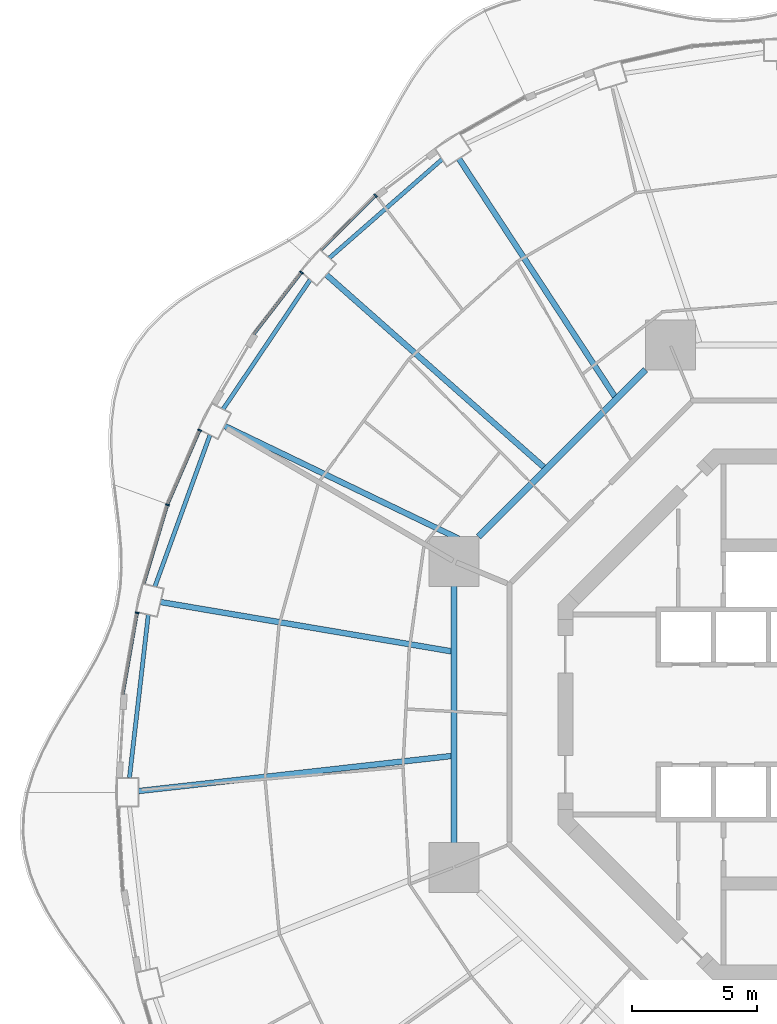
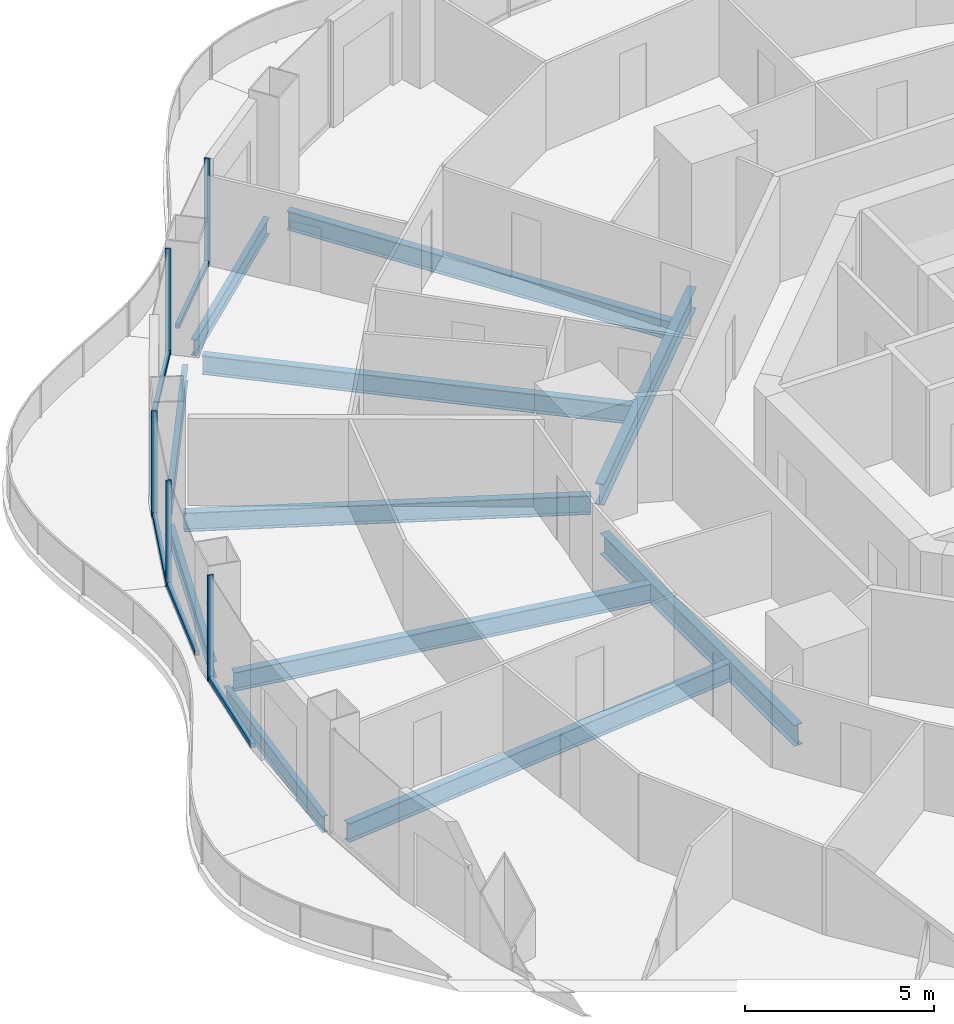
# One storey, part 6 of 20: 11 beams, 10 members, 5 elements without a shape of their own.
"""IFC4 building model written with IfcOpenShell, lengths in metres."""

from ifc_helpers import new_model, si_unit, direction, frame, origin, origin_2d, place, context, subcontext, project, spatial, rectangle, i_section, extrude, material, layer, layer_set, material_profile, profile_set, type_object, element, aggregate, save


model = new_model("IFC4")

# Units and contexts
model_context = context("Model", 3, precision=1e-05, world=origin(), true_north=direction((0.0, 1.0)))
body_context = subcontext(model_context, "Body", "Model", "MODEL_VIEW")
ifc_project = project(units=[si_unit("LENGTHUNIT", "METRE"), si_unit("AREAUNIT", "SQUARE_METRE"), si_unit("VOLUMEUNIT", "CUBIC_METRE"), si_unit("PLANEANGLEUNIT", "RADIAN"), si_unit("MASSUNIT", "GRAM", prefix="KILO")], contexts=[model_context])

# Site, building, storey
site_placement = place(None, origin())
site = spatial("IfcSite", under=ifc_project, at=site_placement, CompositionType="ELEMENT")
building_placement = place(site_placement, origin())
building = spatial("IfcBuilding", under=site, at=building_placement, Name="Nagisa Residences", CompositionType="ELEMENT")
storey_placement = place(building_placement, frame((0.0, 0.0, 123.300048828125)))
storey = spatial("IfcBuildingStorey", under=building, at=storey_placement, Name="L30", CompositionType="ELEMENT", Elevation=123.300048828125)

# Curtain wall, member
ifc_material_1 = material(Name="Concrete-coloured aluminium curtain wall system", Category="concrete")
ifc_layer = layer(ifc_material_1, 0.159912109375)
ifc_layer_set = layer_set([ifc_layer], Name="CW1 CURTAIN WALL")
curtain_wall_type = type_object("IfcCurtainWallType", Name="CW1 CURTAIN WALL", PredefinedType="NOTDEFINED", material=ifc_layer_set)
curtain_wall_1_placement = place(storey_placement, origin())
curtain_wall_1 = element("IfcCurtainWall", 1, at=curtain_wall_1_placement, inside=storey, type_object=curtain_wall_type, Name="cw:CW1:L30:17", PredefinedType="NOTDEFINED")
ifc_material_2 = material(Name="Concrete-coloured aluminium", Category="concrete")
ifc_material_profile_1 = material_profile(ifc_material_2, rectangle(XDim=0.159912109375, YDim=0.06005859375, at=origin_2d()), Name="CW1 MULLION 160x60")
ifc_profile_set_1 = profile_set([ifc_material_profile_1], Name="Concrete-coloured aluminium")
member_type_1 = type_object("IfcMemberType", Name="CW1 MULLION 160x60", PredefinedType="MULLION", material=ifc_profile_set_1)
member_1_placement = place(storey_placement, frame((-17.918212890625, 20.759765625, 0.0), z_axis=(0.0, 0.0, 1.0), x_axis=(0.706376885714, -0.707835924016, 0.0)))
member_1 = element("IfcMember", 2, at=member_1_placement, type_object=member_type_1, Name="CW1 mullion", PredefinedType="MULLION", context=body_context, shape_type="SweptSolid", body=[
    extrude(rectangle(XDim=0.159912109375, YDim=0.06005859375, at=origin_2d()), origin(), (0.0, 0.0, 1.0), 3.43994140625),
])

curtain_wall_2_placement = place(storey_placement, origin())
curtain_wall_2 = element("IfcCurtainWall", 3, at=curtain_wall_2_placement, inside=storey, type_object=curtain_wall_type, Name="cw:CW1:L30:18", PredefinedType="NOTDEFINED")
member_2_placement = place(storey_placement, frame((-20.88427734375, 17.685546875, 0.0), z_axis=(0.0, 0.0, 1.0), x_axis=(0.792070340816, -0.610429828235, 0.0)))
member_2 = element("IfcMember", 4, at=member_2_placement, type_object=member_type_1, Name="CW1 mullion", PredefinedType="MULLION", context=body_context, shape_type="SweptSolid", body=[
    extrude(rectangle(XDim=0.159912109375, YDim=0.06005859375, at=origin_2d()), origin(), (0.0, 0.0, 1.0), 3.43994140625),
])

curtain_wall_3_placement = place(storey_placement, origin())
curtain_wall_3 = element("IfcCurtainWall", 5, at=curtain_wall_3_placement, inside=storey, type_object=curtain_wall_type, Name="cw:CW1:L30:20", PredefinedType="NOTDEFINED")
member_3_placement = place(storey_placement, frame((-24.95703125, 11.369873046875, 0.0), z_axis=(0.0, 0.0, 1.0), x_axis=(0.917543276295, -0.397635934147, 0.0)))
member_3 = element("IfcMember", 6, at=member_3_placement, type_object=member_type_1, Name="CW1 mullion", PredefinedType="MULLION", context=body_context, shape_type="SweptSolid", body=[
    extrude(rectangle(XDim=0.159912109375, YDim=0.06005859375, at=origin_2d()), origin(), (0.0, 0.0, 1.0), 3.43994140625),
])

curtain_wall_4_placement = place(storey_placement, origin())
curtain_wall_4 = element("IfcCurtainWall", 7, at=curtain_wall_4_placement, inside=storey, type_object=curtain_wall_type, Name="cw:CW1:L30:21", PredefinedType="NOTDEFINED")
member_4_placement = place(storey_placement, frame((-26.2470703125, 8.3857421875, 0.0), z_axis=(0.0, 0.0, 1.0), x_axis=(0.958271310082, -0.285860274038, 0.0)))
member_4 = element("IfcMember", 8, at=member_4_placement, type_object=member_type_1, Name="CW1 mullion", PredefinedType="MULLION", context=body_context, shape_type="SweptSolid", body=[
    extrude(rectangle(XDim=0.159912109375, YDim=0.06005859375, at=origin_2d()), origin(), (0.0, 0.0, 1.0), 3.43994140625),
])

curtain_wall_5_placement = place(storey_placement, origin())
curtain_wall_5 = element("IfcCurtainWall", 9, at=curtain_wall_5_placement, inside=storey, type_object=curtain_wall_type, Name="cw:CW1:L30:22", PredefinedType="NOTDEFINED")
member_5_placement = place(storey_placement, frame((-27.46044921875, 4.06298828125, 0.0), z_axis=(0.0, 0.0, 1.0), x_axis=(0.985063604377, -0.172190868898, 0.0)))
member_5 = element("IfcMember", 10, at=member_5_placement, type_object=member_type_1, Name="CW1 mullion", PredefinedType="MULLION", context=body_context, shape_type="SweptSolid", body=[
    extrude(rectangle(XDim=0.159912109375, YDim=0.06005859375, at=origin_2d()), origin(), (0.0, 0.0, 1.0), 3.43994140625),
])

# Member
ifc_material_3 = material(Name="Concrete-coloured aluminium", Category="concrete")
ifc_material_profile_2 = material_profile(ifc_material_3, rectangle(XDim=0.1201171875, YDim=0.14990234375, at=origin_2d()), Name="CW1 TRANSOM 120x150")
ifc_profile_set_2 = profile_set([ifc_material_profile_2], Name="Concrete-coloured aluminium")
member_type_2 = type_object("IfcMemberType", Name="CW1 TRANSOM 120x150", PredefinedType="USERDEFINED", material=ifc_profile_set_2)
member_6_placement = place(storey_placement, frame((-17.89697265625, 20.781005859375, 0.074951171875), z_axis=(-0.707818274975, -0.706394570768, 0.0), x_axis=(0.706394570768, -0.707818274975, 0.0)))
member_6 = element("IfcMember", 11, at=member_6_placement, type_object=member_type_2, Name="CW1 transom", ObjectType="TRANSOM", PredefinedType="USERDEFINED", context=body_context, shape_type="SweptSolid", body=[
    extrude(rectangle(XDim=0.1201171875, YDim=0.14990234375, at=origin_2d()), origin(), (0.0, 0.0, 1.0), 3.086669921875),
])

aggregate(curtain_wall_1, [member_1, member_6])

member_7_placement = place(storey_placement, frame((-20.865966796875, 17.709228515625, 0.074951171875), z_axis=(-0.610467332273, -0.792041435928, 0.0), x_axis=(0.792041435928, -0.610467332273, 0.0)))
member_7 = element("IfcMember", 12, at=member_7_placement, type_object=member_type_2, Name="CW1 transom", ObjectType="TRANSOM", PredefinedType="USERDEFINED", context=body_context, shape_type="SweptSolid", body=[
    extrude(rectangle(XDim=0.1201171875, YDim=0.14990234375, at=origin_2d()), origin(), (0.0, 0.0, 1.0), 3.14892578125),
])

aggregate(curtain_wall_2, [member_2, member_7])

member_8_placement = place(storey_placement, frame((-24.945068359375, 11.3974609375, 0.074951171875), z_axis=(-0.397638954585, -0.917541967321, 0.0), x_axis=(0.917541967321, -0.397638954585, 0.0)))
member_8 = element("IfcMember", 13, at=member_8_placement, type_object=member_type_2, Name="CW1 transom", ObjectType="TRANSOM", PredefinedType="USERDEFINED", context=body_context, shape_type="SweptSolid", body=[
    extrude(rectangle(XDim=0.1201171875, YDim=0.14990234375, at=origin_2d()), origin(), (0.0, 0.0, 1.0), 3.2607421875),
])

aggregate(curtain_wall_3, [member_3, member_8])

member_9_placement = place(storey_placement, frame((-26.238525390625, 8.41455078125, 0.074951171875), z_axis=(-0.285842038783, -0.958276749621, 0.0), x_axis=(0.958276749621, -0.285842038783, 0.0)))
member_9 = element("IfcMember", 14, at=member_9_placement, type_object=member_type_2, Name="CW1 transom", ObjectType="TRANSOM", PredefinedType="USERDEFINED", context=body_context, shape_type="SweptSolid", body=[
    extrude(rectangle(XDim=0.1201171875, YDim=0.14990234375, at=origin_2d()), origin(), (0.0, 0.0, 1.0), 3.302734375),
])

aggregate(curtain_wall_4, [member_4, member_9])

member_10_placement = place(storey_placement, frame((-27.455322265625, 4.092529296875, 0.074951171875), z_axis=(-0.172234609255, -0.985055957484, 0.0), x_axis=(0.985055957484, -0.172234609255, 0.0)))
member_10 = element("IfcMember", 15, at=member_10_placement, type_object=member_type_2, Name="CW1 transom", ObjectType="TRANSOM", PredefinedType="USERDEFINED", context=body_context, shape_type="SweptSolid", body=[
    extrude(rectangle(XDim=0.1201171875, YDim=0.14990234375, at=origin_2d()), origin(), (0.0, 0.0, 1.0), 3.33251953125),
])

aggregate(curtain_wall_5, [member_5, member_10])

# Beams
ifc_material_4 = material(Name="Steel ASTM A572 Gr 50", Category="steel")
ifc_material_profile_3 = material_profile(ifc_material_4, i_section(OverallWidth=0.25390625, OverallDepth=0.68408203125, WebThickness=0.012451171875, FlangeThickness=0.018798828125, at=origin_2d()), Name="W690x140")
ifc_profile_set_3 = profile_set([ifc_material_profile_3], Name="Steel ASTM A572 Gr 50")
beam_type_1 = type_object("IfcBeamType", Name="Inner ring beam W690x140", PredefinedType="BEAM", material=ifc_profile_set_3)
beam_1_placement = place(storey_placement, frame((-7.10888671875, 13.796142578125, -0.60205078125), z_axis=(-0.707106781187, -0.707106781187, 0.0), x_axis=(0.707106781187, -0.707106781187, 0.0)))
element("IfcBeam", 16, at=beam_1_placement, inside=storey, type_object=beam_type_1, Name="beam:L30:ib3", PredefinedType="BEAM", context=body_context, shape_type="SweptSolid", body=[
    extrude(i_section(OverallWidth=0.25390625, OverallDepth=0.68408203125, WebThickness=0.012451171875, FlangeThickness=0.018798828125, at=origin_2d()), origin(), (0.0, 0.0, 1.0), 9.457275390625),
])
beam_2_placement = place(storey_placement, frame((-14.781982421875, 5.142822265625, -0.60205078125), z_axis=(0.0, -1.0, 0.0), x_axis=(1.0, 0.0, 0.0)))
element("IfcBeam", 17, at=beam_2_placement, inside=storey, type_object=beam_type_1, Name="beam:L30:ib4", PredefinedType="BEAM", context=body_context, shape_type="SweptSolid", body=[
    extrude(i_section(OverallWidth=0.25390625, OverallDepth=0.68408203125, WebThickness=0.012451171875, FlangeThickness=0.018798828125, at=origin_2d()), origin(), (0.0, 0.0, 1.0), 10.28564453125),
])
ifc_material_5 = material(Name="Steel ASTM A572 Gr 50", Category="steel")
ifc_material_profile_4 = material_profile(ifc_material_5, i_section(OverallWidth=0.166015625, OverallDepth=0.534912109375, WebThickness=0.01025390625, FlangeThickness=0.0166015625, at=origin_2d()), Name="W530x85")
ifc_profile_set_4 = profile_set([ifc_material_profile_4], Name="Steel ASTM A572 Gr 50")
beam_type_2 = type_object("IfcBeamType", Name="Perimeter ring beam W530x85", PredefinedType="BEAM", material=ifc_profile_set_4)
beam_3_placement = place(storey_placement, frame((-15.25830078125, 22.213134765625, -0.527587890625), z_axis=(-0.752503526528, -0.658588219272, 0.0), x_axis=(0.658588219272, -0.752503526528, 0.0)))
element("IfcBeam", 18, at=beam_3_placement, inside=storey, type_object=beam_type_2, Name="beam:L30:pb09", PredefinedType="BEAM", context=body_context, shape_type="SweptSolid", body=[
    extrude(i_section(OverallWidth=0.166015625, OverallDepth=0.534912109375, WebThickness=0.01025390625, FlangeThickness=0.0166015625, at=origin_2d()), origin(), (0.0, 0.0, 1.0), 5.99462890625),
])
beam_4_placement = place(storey_placement, frame((-20.5361328125, 17.39453125, -0.527587890625), z_axis=(-0.558187951157, -0.82971453596, 0.0), x_axis=(0.82971453596, -0.558187951157, 0.0)))
element("IfcBeam", 19, at=beam_4_placement, inside=storey, type_object=beam_type_2, Name="beam:L30:pb10", PredefinedType="BEAM", context=body_context, shape_type="SweptSolid", body=[
    extrude(i_section(OverallWidth=0.166015625, OverallDepth=0.534912109375, WebThickness=0.01025390625, FlangeThickness=0.0166015625, at=origin_2d()), origin(), (0.0, 0.0, 1.0), 6.24267578125),
])
beam_5_placement = place(storey_placement, frame((-24.54638671875, 11.180419921875, -0.527587890625), z_axis=(-0.341366238276, -0.939930365168, 0.0), x_axis=(0.939930365168, -0.341366238276, 0.0)))
element("IfcBeam", 20, at=beam_5_placement, inside=storey, type_object=beam_type_2, Name="beam:L30:pb11", PredefinedType="BEAM", context=body_context, shape_type="SweptSolid", body=[
    extrude(i_section(OverallWidth=0.166015625, OverallDepth=0.534912109375, WebThickness=0.01025390625, FlangeThickness=0.0166015625, at=origin_2d()), origin(), (0.0, 0.0, 1.0), 6.450927734375),
])
beam_6_placement = place(storey_placement, frame((-27.014892578125, 3.98779296875, -0.527587890625), z_axis=(-0.114660786771, -0.993404703017, 0.0), x_axis=(0.993404703017, -0.114660786771, 0.0)))
element("IfcBeam", 21, at=beam_6_placement, inside=storey, type_object=beam_type_2, Name="beam:L30:pb12", PredefinedType="BEAM", context=body_context, shape_type="SweptSolid", body=[
    extrude(i_section(OverallWidth=0.166015625, OverallDepth=0.534912109375, WebThickness=0.01025390625, FlangeThickness=0.0166015625, at=origin_2d()), origin(), (0.0, 0.0, 1.0), 6.568603515625),
])
ifc_material_6 = material(Name="Steel ASTM A572 Gr 50", Category="steel")
ifc_material_profile_5 = material_profile(ifc_material_6, i_section(OverallWidth=0.22900390625, OverallDepth=0.612060546875, WebThickness=0.011962890625, FlangeThickness=0.01953125, at=origin_2d()), Name="W610x125")
ifc_profile_set_5 = profile_set([ifc_material_profile_5], Name="Steel ASTM A572 Gr 50")
beam_type_3 = type_object("IfcBeamType", Name="Radial beam W610x125", PredefinedType="BEAM", material=ifc_profile_set_5)
beam_7_placement = place(storey_placement, frame((-14.581787109375, 22.2392578125, -0.566162109375), z_axis=(0.548325250323, -0.836265161212, 0.0), x_axis=(0.836265161212, 0.548325250323, 0.0)))
element("IfcBeam", 22, at=beam_7_placement, inside=storey, type_object=beam_type_3, Name="beam:L30:rb09", PredefinedType="BEAM", context=body_context, shape_type="SweptSolid", body=[
    extrude(i_section(OverallWidth=0.22900390625, OverallDepth=0.612060546875, WebThickness=0.011962890625, FlangeThickness=0.01953125, at=origin_2d()), origin(), (0.0, 0.0, 1.0), 11.385498046875),
])
beam_8_placement = place(storey_placement, frame((-19.887451171875, 17.594970703125, -0.566162109375), z_axis=(0.7489549138, -0.662620960349, 0.0), x_axis=(0.662620960349, 0.7489549138, 0.0)))
element("IfcBeam", 23, at=beam_8_placement, inside=storey, type_object=beam_type_3, Name="beam:L30:rb10", PredefinedType="BEAM", context=body_context, shape_type="SweptSolid", body=[
    extrude(i_section(OverallWidth=0.22900390625, OverallDepth=0.612060546875, WebThickness=0.011962890625, FlangeThickness=0.01953125, at=origin_2d()), origin(), (0.0, 0.0, 1.0), 11.63671875),
])
beam_9_placement = place(storey_placement, frame((-23.95947265625, 11.543212890625, -0.566162109375), z_axis=(0.900896469051, -0.434034044808, 0.0), x_axis=(0.434034044808, 0.900896469051, 0.0)))
element("IfcBeam", 24, at=beam_9_placement, inside=storey, type_object=beam_type_3, Name="beam:L30:rb11", PredefinedType="BEAM", context=body_context, shape_type="SweptSolid", body=[
    extrude(i_section(OverallWidth=0.22900390625, OverallDepth=0.612060546875, WebThickness=0.011962890625, FlangeThickness=0.01953125, at=origin_2d()), origin(), (0.0, 0.0, 1.0), 10.820556640625),
])
beam_10_placement = place(storey_placement, frame((-26.52294921875, 4.495849609375, -0.566162109375), z_axis=(0.985936650852, -0.167119479737, 0.0), x_axis=(0.167119479737, 0.985936650852, 0.0)))
element("IfcBeam", 25, at=beam_10_placement, inside=storey, type_object=beam_type_3, Name="beam:L30:rb12", PredefinedType="BEAM", context=body_context, shape_type="SweptSolid", body=[
    extrude(i_section(OverallWidth=0.22900390625, OverallDepth=0.612060546875, WebThickness=0.011962890625, FlangeThickness=0.01953125, at=origin_2d()), origin(), (0.0, 0.0, 1.0), 11.799560546875),
])
beam_11_placement = place(storey_placement, frame((-27.40478515625, -3.069580078125, -0.566162109375), z_axis=(0.993785470482, 0.111312347291, 0.0), x_axis=(-0.111312347291, 0.993785470482, 0.0)))
element("IfcBeam", 26, at=beam_11_placement, inside=storey, type_object=beam_type_3, Name="beam:L30:rb13", PredefinedType="BEAM", context=body_context, shape_type="SweptSolid", body=[
    extrude(i_section(OverallWidth=0.22900390625, OverallDepth=0.612060546875, WebThickness=0.011962890625, FlangeThickness=0.01953125, at=origin_2d()), origin(), (0.0, 0.0, 1.0), 12.593994140625),
])

save(model, "model.ifc")
